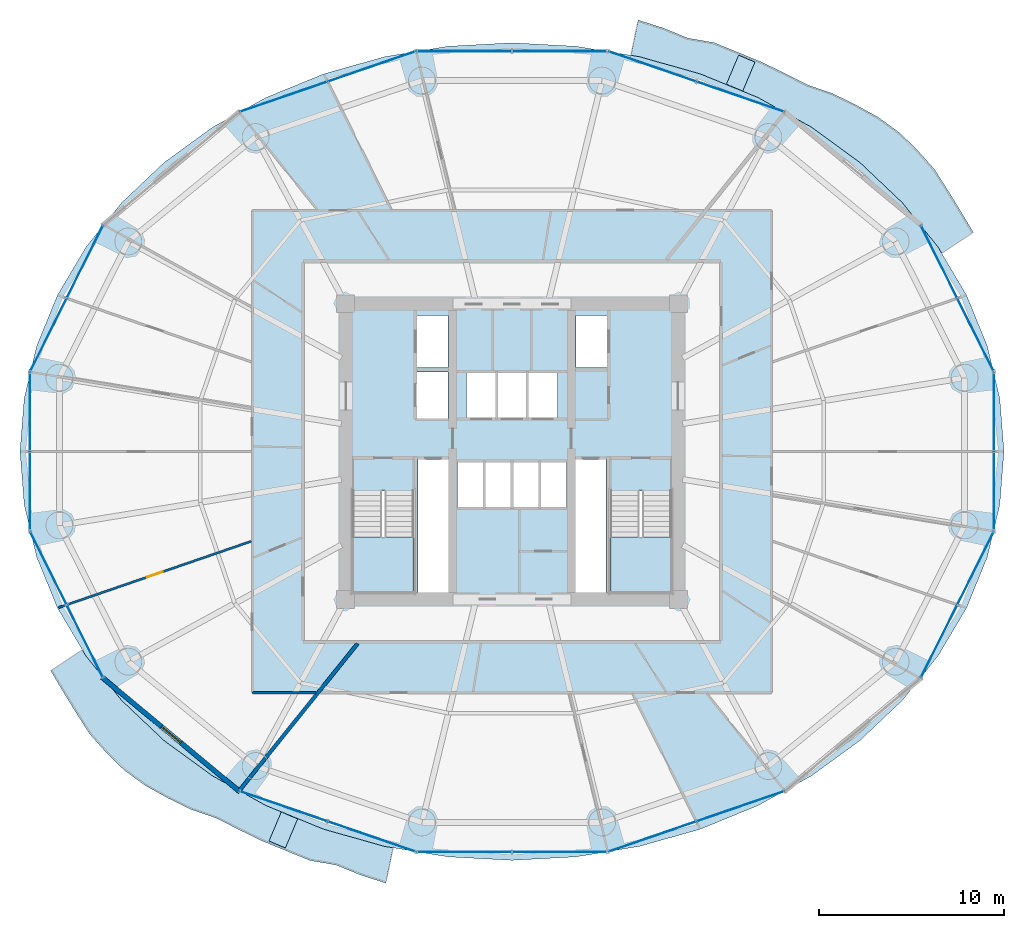
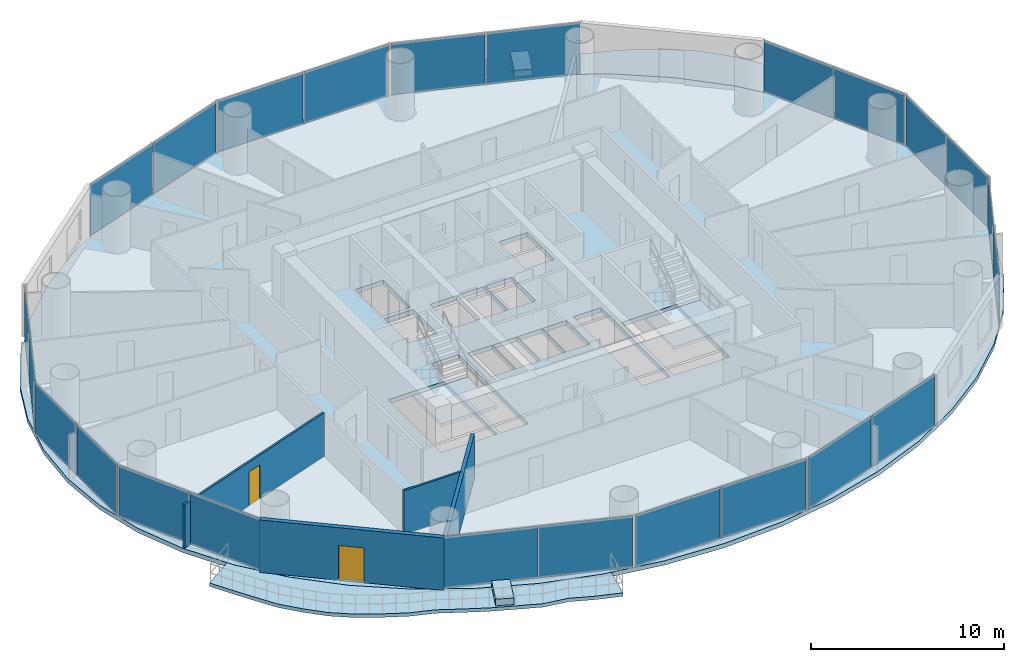
# One storey, part 21 of 29: 24 plates, 7 slabs, 4 walls, 2 doors, 2 openings, 14 elements without a shape of their own.
"""IFC4 building model written with IfcOpenShell, lengths in metres."""

from ifc_helpers import new_model, si_unit, direction, frame, frame_2d, origin, origin_2d, place, context, subcontext, project, spatial, polyline, rectangle, outline, extrude, source, transform, mapped, material, layer, layer_set, type_object, element, fill, aggregate, save


model = new_model("IFC4")

# Units and contexts
model_context = context("Model", 3, precision=1e-05, world=origin(), true_north=direction((-0.2419218956, 0.970295726276)))
body_context = subcontext(model_context, "Body", "Model", "MODEL_VIEW")
ifc_project = project(units=[si_unit("LENGTHUNIT", "METRE"), si_unit("AREAUNIT", "SQUARE_METRE"), si_unit("VOLUMEUNIT", "CUBIC_METRE"), si_unit("PLANEANGLEUNIT", "RADIAN"), si_unit("MASSUNIT", "GRAM", prefix="KILO")], contexts=[model_context])

# Site, building, storey
site_placement = place(None, origin())
site = spatial("IfcSite", under=ifc_project, at=site_placement, CompositionType="ELEMENT")
building_placement = place(site_placement, origin())
building = spatial("IfcBuilding", under=site, at=building_placement, Name="Cobrevalo Terracotta Tower", CompositionType="ELEMENT")
storey_placement = place(building_placement, frame((0.0, 0.0, 115.800048828125)))
storey = spatial("IfcBuildingStorey", under=building, at=storey_placement, Name="L30", CompositionType="ELEMENT", Elevation=115.800048828125)

# Stair, slab
ifc_material_1 = material(Name="Concrete C50", Category="concrete")
stair_type = type_object("IfcStairType", Name="Core protected escape dogleg stair 1600", PredefinedType="HALF_TURN_STAIR", material=ifc_material_1)
stair_1_placement = place(storey_placement, origin())
stair_1 = element("IfcStair", 1, at=stair_1_placement, inside=storey, type_object=stair_type, Name="L30 Protected exit stair ST-1", PredefinedType="HALF_TURN_STAIR")
ifc_layer_1 = layer(ifc_material_1, 0.199951171875)
ifc_layer_set_1 = layer_set([ifc_layer_1], Name="Concrete C50")
slab_type_1 = type_object("IfcSlabType", Name="Reinforced Concrete Stair Landing 200", PredefinedType="LANDING", material=ifc_layer_set_1)
slab_1_placement = place(storey_placement, frame((0.0, 0.0, 1.599853515625)))
slab_1 = element("IfcSlab", 2, at=slab_1_placement, type_object=slab_type_1, Name="ST-1 landing 1", PredefinedType="LANDING", context=body_context, shape_type="SweptSolid", body=[
    extrude(outline(polyline([(29.375, 22.179931640625), (29.375, 19.175048828125), (32.695068359375, 19.175048828125), (32.695068359375, 22.179931640625), (29.375, 22.179931640625)])), origin(), (0.0, 0.0, 1.0), 0.2001953125),
])
aggregate(stair_1, [slab_1])

stair_2_placement = place(storey_placement, origin())
stair_2 = element("IfcStair", 3, at=stair_2_placement, inside=storey, type_object=stair_type, Name="L30 Protected exit stair ST-2", PredefinedType="HALF_TURN_STAIR")
slab_2_placement = place(storey_placement, frame((0.0, 0.0, 1.599853515625)))
slab_2 = element("IfcSlab", 4, at=slab_2_placement, type_object=slab_type_1, Name="ST-2 landing 1", PredefinedType="LANDING", context=body_context, shape_type="SweptSolid", body=[
    extrude(outline(polyline([(43.304931640625, 22.179931640625), (43.304931640625, 19.175048828125), (46.625, 19.175048828125), (46.625, 22.179931640625), (43.304931640625, 22.179931640625)])), origin(), (0.0, 0.0, 1.0), 0.2001953125),
])
aggregate(stair_2, [slab_2])

# Slabs
ifc_material_2 = material(Name="Concrete C45", Category="concrete")
ifc_layer_2 = layer(ifc_material_2, 0.219970703125)
ifc_layer_set_2 = layer_set([ifc_layer_2], Name="Concrete C45")
slab_type_2 = type_object("IfcSlabType", Name="Spiralling cantilevered balcony lobe slab 220 mm", PredefinedType="FLOOR", material=ifc_layer_set_2)
slab_3_placement = place(storey_placement, frame((0.0, 0.0, -0.219970703125)))
element("IfcSlab", 5, at=slab_3_placement, inside=storey, type_object=slab_type_2, Name="L30 spiralling arc balcony slab lobe 1", PredefinedType="FLOOR", context=body_context, shape_type="SweptSolid", body=[
    extrude(outline(polyline([(62.94677734375, 38.64208984375), (62.2724609375, 39.773193359375), (61.570556640625, 40.91455078125), (60.84130859375, 42.056884765625), (59.929931640625, 43.083984375), (58.947265625, 44.04345703125), (57.826171875, 44.85791015625), (56.59912109375, 45.53759765625), (55.351318359375, 46.14990234375), (54.0048828125, 46.613037109375), (52.76953125, 47.238037109375), (51.51953125, 47.846923828125), (50.2197265625, 48.380859375), (48.919677734375, 48.910888671875), (47.510009765625, 49.154052734375), (46.18798828125, 49.694091796875), (44.8251953125, 50.13232421875), (44.429931640625, 48.22412109375), (44.885009765625, 48.14892578125), (48.18017578125, 47.219482421875), (51.301025390625, 45.94091796875), (54.1943359375, 44.334716796875), (56.810546875, 42.428466796875), (59.104736328125, 40.2548828125), (61.0380859375, 37.85107421875), (61.2431640625, 37.50537109375), (62.94677734375, 38.64208984375)])), origin(), (0.0, 0.0, 1.0), 0.219970703125),
])
slab_4_placement = place(storey_placement, frame((0.0, 0.0, -0.219970703125)))
element("IfcSlab", 6, at=slab_4_placement, inside=storey, type_object=slab_type_2, Name="L30 spiralling arc balcony slab lobe 2", PredefinedType="FLOOR", context=body_context, shape_type="SweptSolid", body=[
    extrude(outline(polyline([(13.05322265625, 14.9580078125), (13.7275390625, 13.826904296875), (14.429443359375, 12.685302734375), (15.15869140625, 11.543212890625), (16.070068359375, 10.51611328125), (17.052734375, 9.556396484375), (18.173828125, 8.7421875), (19.40087890625, 8.062255859375), (20.648681640625, 7.4501953125), (21.9951171875, 6.987060546875), (23.23046875, 6.36181640625), (24.48046875, 5.7529296875), (25.7802734375, 5.218994140625), (27.080322265625, 4.689208984375), (28.489990234375, 4.446044921875), (29.81201171875, 3.906005859375), (31.1748046875, 3.467529296875), (31.570068359375, 5.3759765625), (31.114990234375, 5.451171875), (27.81982421875, 6.38037109375), (24.698974609375, 7.6591796875), (21.8056640625, 9.265380859375), (19.189453125, 11.171630859375), (16.895263671875, 13.34521484375), (14.9619140625, 15.7490234375), (14.7568359375, 16.094482421875), (13.05322265625, 14.9580078125)])), origin(), (0.0, 0.0, 1.0), 0.219970703125),
])
ifc_material_3 = material(Name="Precast concrete C45", Category="concrete")
ifc_layer_3 = layer(ifc_material_3, 0.419921875)
ifc_layer_set_3 = layer_set([ifc_layer_3], Name="Precast concrete C45")
slab_type_3 = type_object("IfcSlabType", Name="Structural tree planter trough base 420 mm", PredefinedType="USERDEFINED", material=ifc_layer_set_3)
slab_5_placement = place(storey_placement, origin())
element("IfcSlab", 7, at=slab_5_placement, inside=storey, type_object=slab_type_3, Name="L30 structural tree planter trough 1", ObjectType="PLANTER", PredefinedType="USERDEFINED", context=body_context, shape_type="SweptSolid", body=[
    extrude(outline(polyline([(50.4755859375, 46.2900390625), (51.136474609375, 47.8564453125), (50.252197265625, 48.2294921875), (49.59130859375, 46.663330078125), (50.4755859375, 46.2900390625)])), origin(), (0.0, 0.0, 1.0), 0.419921875),
])
slab_6_placement = place(storey_placement, origin())
element("IfcSlab", 8, at=slab_6_placement, inside=storey, type_object=slab_type_3, Name="L30 structural tree planter trough 2", ObjectType="PLANTER", PredefinedType="USERDEFINED", context=body_context, shape_type="SweptSolid", body=[
    extrude(outline(polyline([(25.5244140625, 7.309814453125), (24.863525390625, 5.74365234375), (25.747802734375, 5.370361328125), (26.40869140625, 6.936767578125), (25.5244140625, 7.309814453125)])), origin(), (0.0, 0.0, 1.0), 0.419921875),
])
ifc_layer_4 = layer(ifc_material_1, 0.27490234375)
ifc_layer_set_4 = layer_set([ifc_layer_4], Name="Concrete C50")
slab_type_4 = type_object("IfcSlabType", Name="Zone Z2 elliptical floor plate 275 mm", PredefinedType="FLOOR", material=ifc_layer_set_4)
slab_7_placement = place(storey_placement, frame((0.0, 0.0, -0.275146484375)))
element("IfcSlab", 9, at=slab_7_placement, inside=storey, type_object=slab_type_4, Name="L30 indoor elliptical floor slab", PredefinedType="FLOOR", context=body_context, shape_type="SweptSolid", body=[
    extrude(outline(polyline([(64.372314453125, 23.915283203125), (63.693603515625, 21.080078125), (62.5751953125, 18.3427734375), (61.036376953125, 15.75), (59.103271484375, 13.346435546875), (56.80908203125, 11.1728515625), (54.193115234375, 9.266845703125), (51.300048828125, 7.660888671875), (48.179443359375, 6.38232421875), (44.884521484375, 5.453125), (41.471923828125, 4.88916015625), (38.0, 4.699951171875), (34.528076171875, 4.88916015625), (31.115478515625, 5.453125), (27.820556640625, 6.38232421875), (24.699951171875, 7.660888671875), (21.806884765625, 9.266845703125), (19.19091796875, 11.1728515625), (16.896728515625, 13.346435546875), (14.963623046875, 15.75), (13.4248046875, 18.3427734375), (12.306396484375, 21.080078125), (11.627685546875, 23.915283203125), (11.39990234375, 26.800048828125), (11.627685546875, 29.6845703125), (12.306396484375, 32.52001953125), (13.4248046875, 35.25732421875), (14.963623046875, 37.85009765625), (16.896728515625, 40.253662109375), (19.19091796875, 42.427001953125), (21.806884765625, 44.3330078125), (24.699951171875, 45.939208984375), (27.820556640625, 47.2177734375), (31.115478515625, 48.14697265625), (34.528076171875, 48.7109375), (38.0, 48.89990234375), (41.471923828125, 48.7109375), (44.884521484375, 48.14697265625), (48.179443359375, 47.2177734375), (51.300048828125, 45.939208984375), (54.193115234375, 44.3330078125), (56.80908203125, 42.427001953125), (59.103271484375, 40.253662109375), (61.036376953125, 37.85009765625), (62.5751953125, 35.25732421875), (63.693603515625, 32.52001953125), (64.372314453125, 29.6845703125), (64.60009765625, 26.800048828125), (64.372314453125, 23.915283203125)]), holes=[polyline([(32.695068359375, 19.175048828125), (32.695068359375, 24.659912109375), (29.375, 24.659912109375), (29.375, 19.175048828125), (32.695068359375, 19.175048828125)]), polyline([(34.574951171875, 19.175048828125), (34.574951171875, 26.360107421875), (32.919921875, 26.360107421875), (32.919921875, 19.175048828125), (34.574951171875, 19.175048828125)]), polyline([(36.47998046875, 23.800048828125), (36.47998046875, 26.25), (35.050048828125, 26.25), (35.050048828125, 23.800048828125), (36.47998046875, 23.800048828125)]), polyline([(37.9599609375, 23.800048828125), (37.9599609375, 26.25), (36.530029296875, 26.25), (36.530029296875, 23.800048828125), (37.9599609375, 23.800048828125)]), polyline([(37.1201171875, 28.60009765625), (37.1201171875, 31.050048828125), (35.550048828125, 31.050048828125), (35.550048828125, 28.60009765625), (37.1201171875, 28.60009765625)]), polyline([(34.550048828125, 28.60009765625), (34.550048828125, 31.10009765625), (32.85009765625, 31.10009765625), (32.85009765625, 28.60009765625), (34.550048828125, 28.60009765625)]), polyline([(34.550048828125, 31.35009765625), (34.550048828125, 34.14990234375), (32.85009765625, 34.14990234375), (32.85009765625, 31.35009765625), (34.550048828125, 31.35009765625)]), polyline([(46.625, 19.175048828125), (46.625, 24.659912109375), (43.304931640625, 24.659912109375), (43.304931640625, 19.175048828125), (46.625, 19.175048828125)]), polyline([(43.080078125, 19.175048828125), (43.080078125, 26.360107421875), (41.425048828125, 26.360107421875), (41.425048828125, 19.175048828125), (43.080078125, 19.175048828125)]), polyline([(39.469970703125, 23.800048828125), (39.469970703125, 26.25), (38.0400390625, 26.25), (38.0400390625, 23.800048828125), (39.469970703125, 23.800048828125)]), polyline([(40.949951171875, 23.800048828125), (40.949951171875, 26.25), (39.52001953125, 26.25), (39.52001953125, 23.800048828125), (40.949951171875, 23.800048828125)]), polyline([(38.780029296875, 28.60009765625), (38.780029296875, 31.050048828125), (37.219970703125, 31.050048828125), (37.219970703125, 28.60009765625), (38.780029296875, 28.60009765625)]), polyline([(40.449951171875, 28.60009765625), (40.449951171875, 31.050048828125), (38.8798828125, 31.050048828125), (38.8798828125, 28.60009765625), (40.449951171875, 28.60009765625)]), polyline([(43.14990234375, 31.35009765625), (43.14990234375, 34.14990234375), (41.449951171875, 34.14990234375), (41.449951171875, 31.35009765625), (43.14990234375, 31.35009765625)])]), origin(), (0.0, 0.0, 1.0), 0.275146484375),
])

# Curtain wall, plates
ifc_material_4 = material(Name="Anodized aluminium", Category="aluminium")
curtain_wall_type = type_object("IfcCurtainWallType", Name="Lower-tower unitised acoustic low-E curtain wall CW-U1", PredefinedType="NOTDEFINED", material=ifc_material_4)
curtain_wall_1_placement = place(storey_placement, origin())
curtain_wall_1 = element("IfcCurtainWall", 10, at=curtain_wall_1_placement, inside=storey, type_object=curtain_wall_type, Name="L30 curtain wall CW-L30-S03", PredefinedType="NOTDEFINED")
ifc_material_5 = material(Name="Solar-control low-E double glazing", Category="glass")
ifc_layer_5 = layer(ifc_material_5, 0.028076171875)
ifc_layer_set_5 = layer_set([ifc_layer_5], Name="Solar-control low-E double glazing")
plate_type = type_object("IfcPlateType", Name="Tower solar-control low-E vision glass panel 28 mm", PredefinedType="CURTAIN_PANEL", material=ifc_layer_set_5)
shared_shape_1 = source(origin(), body_context, "Body", "SweptSolid", [
    extrude(rectangle(XDim=4.944580078125, YDim=0.035888671875, at=origin_2d()), origin(), (0.0, 0.0, 1.0), 3.2451171875),
])
plate_1_placement = place(storey_placement, frame((50.34814453125, 45.98095703125, 0.039794921875), z_axis=(0.0, 0.0, 1.0), x_axis=(-0.945596395206, 0.325342062104, 0.0)))
plate_1 = element("IfcPlate", 11, at=plate_1_placement, type_object=plate_type, Name="CW-L30-S03 glazing panel B01", PredefinedType="CURTAIN_PANEL", context=body_context, shape_type="MappedRepresentation", body=[
    mapped(shared_shape_1, transform((0.0, 0.0, 0.0), scale=1.0)),
])
plate_2_placement = place(storey_placement, frame((45.596923828125, 47.615478515625, 0.039794921875), z_axis=(0.0, 0.0, 1.0), x_axis=(-0.945596395206, 0.325342062104, 0.0)))
plate_2 = element("IfcPlate", 12, at=plate_2_placement, type_object=plate_type, Name="CW-L30-S03 glazing panel B02", PredefinedType="CURTAIN_PANEL", context=body_context, shape_type="MappedRepresentation", body=[
    mapped(shared_shape_1, transform((0.0, 0.0, 0.0), scale=1.0)),
])
aggregate(curtain_wall_1, [plate_1, plate_2])

curtain_wall_2_placement = place(storey_placement, origin())
curtain_wall_2 = element("IfcCurtainWall", 13, at=curtain_wall_2_placement, inside=storey, type_object=curtain_wall_type, Name="L30 curtain wall CW-L30-S05", PredefinedType="NOTDEFINED")
plate_3_placement = place(storey_placement, frame((30.403076171875, 47.615478515625, 0.039794921875), z_axis=(0.0, 0.0, 1.0), x_axis=(-0.945596395206, -0.325342062104, 0.0)))
plate_3 = element("IfcPlate", 14, at=plate_3_placement, type_object=plate_type, Name="CW-L30-S05 glazing panel B01", PredefinedType="CURTAIN_PANEL", context=body_context, shape_type="MappedRepresentation", body=[
    mapped(shared_shape_1, transform((0.0, 0.0, 0.0), scale=1.0)),
])
plate_4_placement = place(storey_placement, frame((25.65185546875, 45.98095703125, 0.039794921875), z_axis=(0.0, 0.0, 1.0), x_axis=(-0.945596395206, -0.325342062104, 0.0)))
plate_4 = element("IfcPlate", 15, at=plate_4_placement, type_object=plate_type, Name="CW-L30-S05 glazing panel B02", PredefinedType="CURTAIN_PANEL", context=body_context, shape_type="MappedRepresentation", body=[
    mapped(shared_shape_1, transform((0.0, 0.0, 0.0), scale=1.0)),
])
aggregate(curtain_wall_2, [plate_3, plate_4])

curtain_wall_3_placement = place(storey_placement, origin())
curtain_wall_3 = element("IfcCurtainWall", 16, at=curtain_wall_3_placement, inside=storey, type_object=curtain_wall_type, Name="L30 curtain wall CW-L30-S11", PredefinedType="NOTDEFINED")
plate_5_placement = place(storey_placement, frame((25.65185546875, 7.619140625, 0.039794921875), z_axis=(0.0, 0.0, 1.0), x_axis=(0.945596395206, -0.325342062104, 0.0)))
plate_5 = element("IfcPlate", 17, at=plate_5_placement, type_object=plate_type, Name="CW-L30-S11 glazing panel B01", PredefinedType="CURTAIN_PANEL", context=body_context, shape_type="MappedRepresentation", body=[
    mapped(shared_shape_1, transform((0.0, 0.0, 0.0), scale=1.0)),
])
plate_6_placement = place(storey_placement, frame((30.403076171875, 5.984375, 0.039794921875), z_axis=(0.0, 0.0, 1.0), x_axis=(0.945596395206, -0.325342062104, 0.0)))
plate_6 = element("IfcPlate", 18, at=plate_6_placement, type_object=plate_type, Name="CW-L30-S11 glazing panel B02", PredefinedType="CURTAIN_PANEL", context=body_context, shape_type="MappedRepresentation", body=[
    mapped(shared_shape_1, transform((0.0, 0.0, 0.0), scale=1.0)),
])
aggregate(curtain_wall_3, [plate_5, plate_6])

curtain_wall_4_placement = place(storey_placement, origin())
curtain_wall_4 = element("IfcCurtainWall", 19, at=curtain_wall_4_placement, inside=storey, type_object=curtain_wall_type, Name="L30 curtain wall CW-L30-S13", PredefinedType="NOTDEFINED")
plate_7_placement = place(storey_placement, frame((45.596923828125, 5.984375, 0.039794921875), z_axis=(0.0, 0.0, 1.0), x_axis=(0.945596395206, 0.325342062104, 0.0)))
plate_7 = element("IfcPlate", 20, at=plate_7_placement, type_object=plate_type, Name="CW-L30-S13 glazing panel B01", PredefinedType="CURTAIN_PANEL", context=body_context, shape_type="MappedRepresentation", body=[
    mapped(shared_shape_1, transform((0.0, 0.0, 0.0), scale=1.0)),
])
plate_8_placement = place(storey_placement, frame((50.34814453125, 7.619140625, 0.039794921875), z_axis=(0.0, 0.0, 1.0), x_axis=(0.945596395206, 0.325342062104, 0.0)))
plate_8 = element("IfcPlate", 21, at=plate_8_placement, type_object=plate_type, Name="CW-L30-S13 glazing panel B02", PredefinedType="CURTAIN_PANEL", context=body_context, shape_type="MappedRepresentation", body=[
    mapped(shared_shape_1, transform((0.0, 0.0, 0.0), scale=1.0)),
])
aggregate(curtain_wall_4, [plate_7, plate_8])

curtain_wall_5_placement = place(storey_placement, origin())
curtain_wall_5 = element("IfcCurtainWall", 22, at=curtain_wall_5_placement, inside=storey, type_object=curtain_wall_type, Name="L30 curtain wall CW-L30-S04", PredefinedType="NOTDEFINED")
shared_shape_2 = source(origin(), body_context, "Body", "SweptSolid", [
    extrude(rectangle(XDim=5.0634765625, YDim=0.035888671875, at=origin_2d()), origin(), (0.0, 0.0, 1.0), 3.2451171875),
])
plate_9_placement = place(storey_placement, frame((40.57177734375, 48.446044921875, 0.039794921875), z_axis=(0.0, 0.0, 1.0), x_axis=(-1.0, 0.0, 0.0)))
plate_9 = element("IfcPlate", 23, at=plate_9_placement, type_object=plate_type, Name="CW-L30-S04 glazing panel B01", PredefinedType="CURTAIN_PANEL", context=body_context, shape_type="MappedRepresentation", body=[
    mapped(shared_shape_2, transform((0.0, 0.0, 0.0), scale=1.0)),
])
plate_10_placement = place(storey_placement, frame((35.42822265625, 48.446044921875, 0.039794921875), z_axis=(0.0, 0.0, 1.0), x_axis=(-1.0, 0.0, 0.0)))
plate_10 = element("IfcPlate", 24, at=plate_10_placement, type_object=plate_type, Name="CW-L30-S04 glazing panel B02", PredefinedType="CURTAIN_PANEL", context=body_context, shape_type="MappedRepresentation", body=[
    mapped(shared_shape_2, transform((0.0, 0.0, 0.0), scale=1.0)),
])
aggregate(curtain_wall_5, [plate_9, plate_10])

curtain_wall_6_placement = place(storey_placement, origin())
curtain_wall_6 = element("IfcCurtainWall", 25, at=curtain_wall_6_placement, inside=storey, type_object=curtain_wall_type, Name="L30 curtain wall CW-L30-S12", PredefinedType="NOTDEFINED")
plate_11_placement = place(storey_placement, frame((35.42822265625, 5.154052734375, 0.039794921875), z_axis=(0.0, 0.0, 1.0), x_axis=(1.0, 0.0, 0.0)))
plate_11 = element("IfcPlate", 26, at=plate_11_placement, type_object=plate_type, Name="CW-L30-S12 glazing panel B01", PredefinedType="CURTAIN_PANEL", context=body_context, shape_type="MappedRepresentation", body=[
    mapped(shared_shape_2, transform((0.0, 0.0, 0.0), scale=1.0)),
])
plate_12_placement = place(storey_placement, frame((40.57177734375, 5.154052734375, 0.039794921875), z_axis=(0.0, 0.0, 1.0), x_axis=(1.0, 0.0, 0.0)))
plate_12 = element("IfcPlate", 27, at=plate_12_placement, type_object=plate_type, Name="CW-L30-S12 glazing panel B02", PredefinedType="CURTAIN_PANEL", context=body_context, shape_type="MappedRepresentation", body=[
    mapped(shared_shape_2, transform((0.0, 0.0, 0.0), scale=1.0)),
])
aggregate(curtain_wall_6, [plate_11, plate_12])

curtain_wall_7_placement = place(storey_placement, origin())
curtain_wall_7 = element("IfcCurtainWall", 28, at=curtain_wall_7_placement, inside=storey, type_object=curtain_wall_type, Name="L30 curtain wall CW-L30-S01", PredefinedType="NOTDEFINED")
shared_shape_3 = source(origin(), body_context, "Body", "SweptSolid", [
    extrude(rectangle(XDim=4.3251953125, YDim=0.035888671875, at=origin_2d()), origin(), (0.0, 0.0, 1.0), 3.2451171875),
])
plate_13_placement = place(storey_placement, frame((63.05859375, 33.112548828125, 0.039794921875), z_axis=(0.0, 0.0, 1.0), x_axis=(-0.446261852127, 0.894902430065, 0.0)))
plate_13 = element("IfcPlate", 29, at=plate_13_placement, type_object=plate_type, Name="CW-L30-S01 glazing panel B01", PredefinedType="CURTAIN_PANEL", context=body_context, shape_type="MappedRepresentation", body=[
    mapped(shared_shape_3, transform((0.0, 0.0, 0.0), scale=1.0)),
])
plate_14_placement = place(storey_placement, frame((61.093017578125, 37.0546875, 0.039794921875), z_axis=(0.0, 0.0, 1.0), x_axis=(-0.446261852127, 0.894902430065, 0.0)))
plate_14 = element("IfcPlate", 30, at=plate_14_placement, type_object=plate_type, Name="CW-L30-S01 glazing panel B02", PredefinedType="CURTAIN_PANEL", context=body_context, shape_type="MappedRepresentation", body=[
    mapped(shared_shape_3, transform((0.0, 0.0, 0.0), scale=1.0)),
])
aggregate(curtain_wall_7, [plate_13, plate_14])

curtain_wall_8_placement = place(storey_placement, origin())
curtain_wall_8 = element("IfcCurtainWall", 31, at=curtain_wall_8_placement, inside=storey, type_object=curtain_wall_type, Name="L30 curtain wall CW-L30-S07", PredefinedType="NOTDEFINED")
plate_15_placement = place(storey_placement, frame((14.906982421875, 37.0546875, 0.039794921875), z_axis=(0.0, 0.0, 1.0), x_axis=(-0.446261852127, -0.894902430065, 0.0)))
plate_15 = element("IfcPlate", 32, at=plate_15_placement, type_object=plate_type, Name="CW-L30-S07 glazing panel B01", PredefinedType="CURTAIN_PANEL", context=body_context, shape_type="MappedRepresentation", body=[
    mapped(shared_shape_3, transform((0.0, 0.0, 0.0), scale=1.0)),
])
plate_16_placement = place(storey_placement, frame((12.94140625, 33.112548828125, 0.039794921875), z_axis=(0.0, 0.0, 1.0), x_axis=(-0.446261852127, -0.894902430065, 0.0)))
plate_16 = element("IfcPlate", 33, at=plate_16_placement, type_object=plate_type, Name="CW-L30-S07 glazing panel B02", PredefinedType="CURTAIN_PANEL", context=body_context, shape_type="MappedRepresentation", body=[
    mapped(shared_shape_3, transform((0.0, 0.0, 0.0), scale=1.0)),
])
aggregate(curtain_wall_8, [plate_15, plate_16])

curtain_wall_9_placement = place(storey_placement, origin())
curtain_wall_9 = element("IfcCurtainWall", 34, at=curtain_wall_9_placement, inside=storey, type_object=curtain_wall_type, Name="L30 curtain wall CW-L30-S09", PredefinedType="NOTDEFINED")
plate_17_placement = place(storey_placement, frame((12.94140625, 20.487548828125, 0.039794921875), z_axis=(0.0, 0.0, 1.0), x_axis=(0.446261852127, -0.894902430065, 0.0)))
plate_17 = element("IfcPlate", 35, at=plate_17_placement, type_object=plate_type, Name="CW-L30-S09 glazing panel B01", PredefinedType="CURTAIN_PANEL", context=body_context, shape_type="MappedRepresentation", body=[
    mapped(shared_shape_3, transform((0.0, 0.0, 0.0), scale=1.0)),
])
plate_18_placement = place(storey_placement, frame((14.906982421875, 16.54541015625, 0.039794921875), z_axis=(0.0, 0.0, 1.0), x_axis=(0.446261852127, -0.894902430065, 0.0)))
plate_18 = element("IfcPlate", 36, at=plate_18_placement, type_object=plate_type, Name="CW-L30-S09 glazing panel B02", PredefinedType="CURTAIN_PANEL", context=body_context, shape_type="MappedRepresentation", body=[
    mapped(shared_shape_3, transform((0.0, 0.0, 0.0), scale=1.0)),
])
aggregate(curtain_wall_9, [plate_17, plate_18])

curtain_wall_10_placement = place(storey_placement, origin())
curtain_wall_10 = element("IfcCurtainWall", 37, at=curtain_wall_10_placement, inside=storey, type_object=curtain_wall_type, Name="L30 curtain wall CW-L30-S15", PredefinedType="NOTDEFINED")
plate_19_placement = place(storey_placement, frame((61.093017578125, 16.54541015625, 0.039794921875), z_axis=(0.0, 0.0, 1.0), x_axis=(0.446261852127, 0.894902430065, 0.0)))
plate_19 = element("IfcPlate", 38, at=plate_19_placement, type_object=plate_type, Name="CW-L30-S15 glazing panel B01", PredefinedType="CURTAIN_PANEL", context=body_context, shape_type="MappedRepresentation", body=[
    mapped(shared_shape_3, transform((0.0, 0.0, 0.0), scale=1.0)),
])
plate_20_placement = place(storey_placement, frame((63.05859375, 20.487548828125, 0.039794921875), z_axis=(0.0, 0.0, 1.0), x_axis=(0.446261852127, 0.894902430065, 0.0)))
plate_20 = element("IfcPlate", 39, at=plate_20_placement, type_object=plate_type, Name="CW-L30-S15 glazing panel B02", PredefinedType="CURTAIN_PANEL", context=body_context, shape_type="MappedRepresentation", body=[
    mapped(shared_shape_3, transform((0.0, 0.0, 0.0), scale=1.0)),
])
aggregate(curtain_wall_10, [plate_19, plate_20])

curtain_wall_11_placement = place(storey_placement, origin())
curtain_wall_11 = element("IfcCurtainWall", 40, at=curtain_wall_11_placement, inside=storey, type_object=curtain_wall_type, Name="L30 curtain wall CW-L30-S08", PredefinedType="NOTDEFINED")
shared_shape_4 = source(origin(), body_context, "Body", "SweptSolid", [
    extrude(rectangle(XDim=4.185546875, YDim=0.035888671875, at=origin_2d()), origin(), (0.0, 0.0, 1.0), 3.2451171875),
])
plate_21_placement = place(storey_placement, frame((11.9404296875, 28.932861328125, 0.039794921875), z_axis=(0.0, 0.0, 1.0), x_axis=(0.0, -1.0, 0.0)))
plate_21 = element("IfcPlate", 41, at=plate_21_placement, type_object=plate_type, Name="CW-L30-S08 glazing panel B01", PredefinedType="CURTAIN_PANEL", context=body_context, shape_type="MappedRepresentation", body=[
    mapped(shared_shape_4, transform((0.0, 0.0, 0.0), scale=1.0)),
])
plate_22_placement = place(storey_placement, frame((11.9404296875, 24.667236328125, 0.039794921875), z_axis=(0.0, 0.0, 1.0), x_axis=(0.0, -1.0, 0.0)))
plate_22 = element("IfcPlate", 42, at=plate_22_placement, type_object=plate_type, Name="CW-L30-S08 glazing panel B02", PredefinedType="CURTAIN_PANEL", context=body_context, shape_type="MappedRepresentation", body=[
    mapped(shared_shape_4, transform((0.0, 0.0, 0.0), scale=1.0)),
])
aggregate(curtain_wall_11, [plate_21, plate_22])

curtain_wall_12_placement = place(storey_placement, origin())
curtain_wall_12 = element("IfcCurtainWall", 43, at=curtain_wall_12_placement, inside=storey, type_object=curtain_wall_type, Name="L30 curtain wall CW-L30-S16", PredefinedType="NOTDEFINED")
plate_23_placement = place(storey_placement, frame((64.0595703125, 24.667236328125, 0.039794921875), z_axis=(0.0, 0.0, 1.0), x_axis=(0.0, 1.0, 0.0)))
plate_23 = element("IfcPlate", 44, at=plate_23_placement, type_object=plate_type, Name="CW-L30-S16 glazing panel B01", PredefinedType="CURTAIN_PANEL", context=body_context, shape_type="MappedRepresentation", body=[
    mapped(shared_shape_4, transform((0.0, 0.0, 0.0), scale=1.0)),
])
plate_24_placement = place(storey_placement, frame((64.0595703125, 28.932861328125, 0.039794921875), z_axis=(0.0, 0.0, 1.0), x_axis=(0.0, 1.0, 0.0)))
plate_24 = element("IfcPlate", 45, at=plate_24_placement, type_object=plate_type, Name="CW-L30-S16 glazing panel B02", PredefinedType="CURTAIN_PANEL", context=body_context, shape_type="MappedRepresentation", body=[
    mapped(shared_shape_4, transform((0.0, 0.0, 0.0), scale=1.0)),
])
aggregate(curtain_wall_12, [plate_23, plate_24])

# Wall
ifc_material_6 = material(Name="Autoclaved aerated concrete block", Category="concrete")
ifc_layer_6 = layer(ifc_material_6, 0.199951171875)
ifc_layer_set_6 = layer_set([ifc_layer_6], Name="Autoclaved aerated concrete block")
wall_type_1 = type_object("IfcWallType", Name="Fire-rated stair, shaft & demising masonry wall 200 mm", PredefinedType="PARTITIONING", material=ifc_layer_set_6)
wall_1_placement = place(storey_placement, frame((29.64794921875, 16.4150390625, 0.0), z_axis=(0.0, 0.0, 1.0), x_axis=(-0.626701127389, -0.779259710834, 0.0)))
element("IfcWall", 46, at=wall_1_placement, inside=storey, type_object=wall_type_1, Name="L30 interior partition IW-L30-DEM-2", PredefinedType="PARTITIONING", context=body_context, shape_type="SweptSolid", body=[
    extrude(rectangle(XDim=10.14111328125, YDim=0.199951171875, at=frame_2d((5.070556640625, 0.0))), origin(), (0.0, 0.0, 1.0), 2.766845703125),
])

# Wall, opening, door
ifc_layer_7 = layer(ifc_material_6, 0.260009765625)
ifc_layer_set_7 = layer_set([ifc_layer_7], Name="Autoclaved aerated concrete block")
wall_type_2 = type_object("IfcWallType", Name="Recessed balcony loggia insulated exterior wall 260 mm", PredefinedType="SOLIDWALL", material=ifc_layer_set_7)
wall_2_placement = place(storey_placement, frame((15.84619140625, 14.589599609375, 0.0), z_axis=(0.0, 0.0, 1.0), x_axis=(0.769254958887, -0.638941944333, 0.0)))
wall_2 = element("IfcWall", 47, at=wall_2_placement, inside=storey, type_object=wall_type_2, Name="L30 balcony loggia wall S10", PredefinedType="SOLIDWALL", context=body_context, shape_type="SweptSolid", body=[
    extrude(rectangle(XDim=9.689697265625, YDim=0.260009765625, at=frame_2d((4.8447265625, 0.0))), origin(), (0.0, 0.0, 1.0), 3.324951171875),
])
opening_1_placement = place(wall_2_placement, frame((4.169921875, 0.0, 0.0)))
opening_1 = element("IfcOpeningElement", 48, at=opening_1_placement, cuts=wall_2, Name="Opening ED-05", PredefinedType="OPENING", context=body_context, shape_type="SweptSolid", body=[
    extrude(rectangle(XDim=1.35009765625, YDim=2.199951171875, at=frame_2d((0.675048828125, 1.10009765625))), frame((0.0, 0.14013671875, 0.0), z_axis=(0.0, -1.0, 0.0), x_axis=(1.0, 0.0, 0.0)), (0.0, 0.0, 1.0), 0.280029296875),
])
ifc_material_7 = material(Name="Anodized aluminium and laminated glass", Category="aluminium")
door_type_1 = type_object("IfcDoorType", Name="Suite balcony acoustic glazed terrace door 1350x2200", OperationType="NOTDEFINED", PredefinedType="DOOR", material=ifc_material_7)
shared_shape_5 = source(origin(), body_context, "Body", "SweptSolid", [
    extrude(rectangle(XDim=1.35009765625, YDim=2.199951171875, at=frame_2d((0.675048828125, 1.10009765625))), frame((0.0, 0.02490234375, 0.0), z_axis=(0.0, -1.0, 0.0), x_axis=(1.0, 0.0, 0.0)), (0.0, 0.0, 1.0), 0.050048828125),
])
door_1_placement = place(opening_1_placement, frame((1.35009765625, 0.0, 0.0), z_axis=(0.0, 0.0, 1.0), x_axis=(-1.0, 0.0, 0.0)))
door_1 = element("IfcDoor", 49, at=door_1_placement, inside=storey, type_object=door_type_1, Name="L30 glazed balcony terrace door 2", OperationType="SINGLE_SWING_RIGHT", OverallHeight=2.199951171875, OverallWidth=1.35009765625, PredefinedType="DOOR", context=body_context, shape_type="MappedRepresentation", body=[
    mapped(shared_shape_5, transform((0.0, 0.0, 0.0), scale=1.0)),
])
fill(opening_1, door_1)

# Wall
ifc_material_8 = material(Name="Gypsum board on steel stud", Category="steel")
ifc_layer_8 = layer(ifc_material_8, 0.1201171875)
ifc_layer_set_8 = layer_set([ifc_layer_8], Name="Gypsum board on steel stud")
wall_type_3 = type_object("IfcWallType", Name="Residential internal acoustic stud partition 120 mm", PredefinedType="PARTITIONING", material=ifc_layer_set_8)
wall_3_placement = place(storey_placement, frame((27.414794921875, 13.764892578125, 0.0), z_axis=(0.0, 0.0, 1.0), x_axis=(-1.0, 0.0, 0.0)))
element("IfcWall", 50, at=wall_3_placement, inside=storey, type_object=wall_type_3, Name="L30 interior partition IW-L30-U1-RING0_0", PredefinedType="PARTITIONING", context=body_context, shape_type="SweptSolid", body=[
    extrude(rectangle(XDim=3.44970703125, YDim=0.1201171875, at=frame_2d((1.724853515625, 0.0))), origin(), (0.0, 0.0, 1.0), 2.766845703125),
])

# Wall, opening, door
wall_4_placement = place(storey_placement, frame((23.90625, 21.94970703125, 0.0), z_axis=(0.0, 0.0, 1.0), x_axis=(-0.945573120726, -0.32540970078, 0.0)))
wall_4 = element("IfcWall", 51, at=wall_4_placement, inside=storey, type_object=wall_type_3, Name="L30 interior partition IW-L30-U1-ORAD5", PredefinedType="PARTITIONING", context=body_context, shape_type="SweptSolid", body=[
    extrude(rectangle(XDim=11.02197265625, YDim=0.1201171875, at=frame_2d((5.510986328125, 0.0))), origin(), (0.0, 0.0, 1.0), 2.766845703125),
])
opening_2_placement = place(wall_4_placement, frame((5.06103515625, 0.0, 0.0)))
opening_2 = element("IfcOpeningElement", 52, at=opening_2_placement, cuts=wall_4, Name="Opening ID-12", PredefinedType="OPENING", context=body_context, shape_type="SweptSolid", body=[
    extrude(rectangle(XDim=0.89990234375, YDim=2.14990234375, at=frame_2d((0.449951171875, 1.074951171875))), frame((0.0, 0.070068359375, 0.0), z_axis=(0.0, -1.0, 0.0), x_axis=(1.0, 0.0, 0.0)), (0.0, 0.0, 1.0), 0.14013671875),
])
ifc_material_9 = material(Name="Engineered timber", Category="wood")
door_type_2 = type_object("IfcDoorType", Name="Internal residence & suite timber door 900x2150", OperationType="NOTDEFINED", PredefinedType="DOOR", material=ifc_material_9)
shared_shape_6 = source(origin(), body_context, "Body", "SweptSolid", [
    extrude(rectangle(XDim=0.89990234375, YDim=2.14990234375, at=frame_2d((0.449951171875, 1.074951171875))), frame((0.0, 0.02490234375, 0.0), z_axis=(0.0, -1.0, 0.0), x_axis=(1.0, 0.0, 0.0)), (0.0, 0.0, 1.0), 0.050048828125),
])
door_2_placement = place(opening_2_placement, frame((0.89990234375, 0.0, 0.0), z_axis=(0.0, 0.0, 1.0), x_axis=(-1.0, 0.0, 0.0)))
door_2 = element("IfcDoor", 53, at=door_2_placement, inside=storey, type_object=door_type_2, Name="Flat L30A Penthouse Family Lounge internal door", OperationType="SINGLE_SWING_LEFT", OverallHeight=2.14990234375, OverallWidth=0.89990234375, PredefinedType="DOOR", context=body_context, shape_type="MappedRepresentation", body=[
    mapped(shared_shape_6, transform((0.0, 0.0, 0.0), scale=1.0)),
])
fill(opening_2, door_2)

save(model, "model.ifc")
